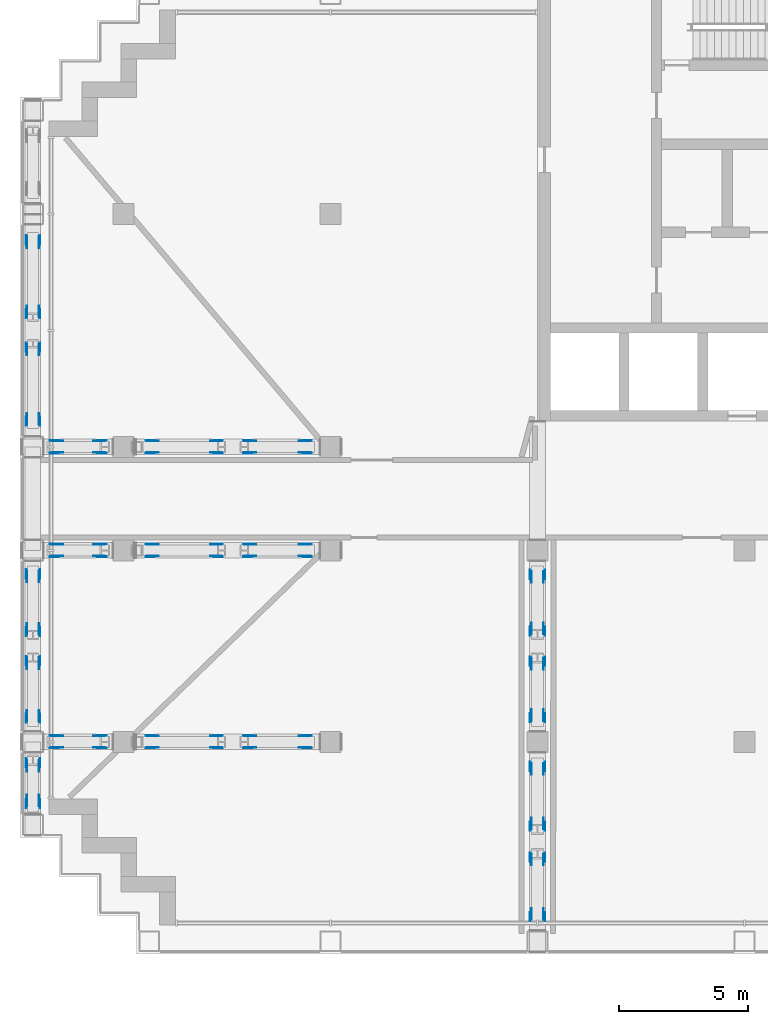
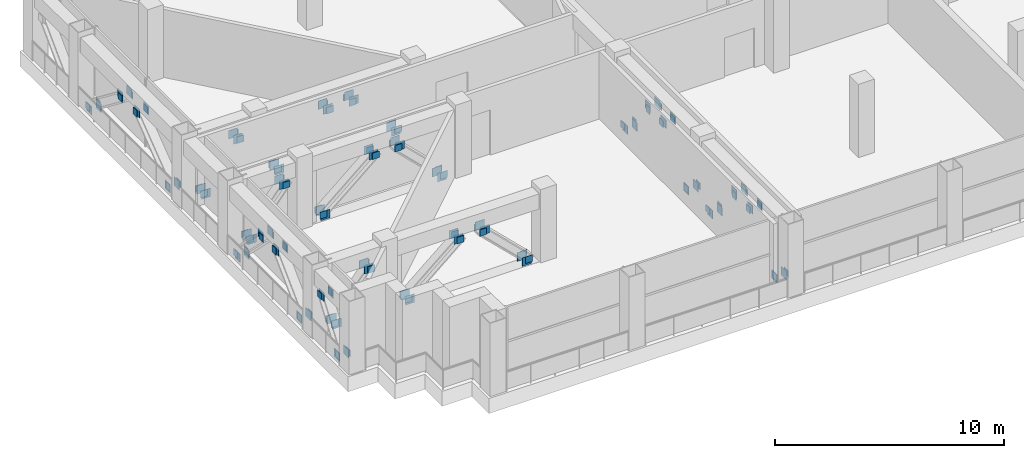
# One storey, part 16 of 25: 144 discrete accessories.
"""IFC4 building model written with IfcOpenShell, lengths in metres."""

from ifc_helpers import new_model, si_unit, direction, frame, origin, origin_2d, place, context, subcontext, project, spatial, rectangle, extrude, element, save


model = new_model("IFC4")

# Units and contexts
model_context = context("Model", 3, precision=1e-05, world=origin(), true_north=direction((0.0, 1.0)))
body_context = subcontext(model_context, "Body", "Model", "MODEL_VIEW")
ifc_project = project(units=[si_unit("LENGTHUNIT", "METRE"), si_unit("AREAUNIT", "SQUARE_METRE"), si_unit("VOLUMEUNIT", "CUBIC_METRE"), si_unit("PLANEANGLEUNIT", "RADIAN"), si_unit("MASSUNIT", "GRAM", prefix="KILO")], contexts=[model_context])

# Site, building, storey
site_placement = place(None, origin())
site = spatial("IfcSite", under=ifc_project, at=site_placement, CompositionType="ELEMENT")
building_placement = place(site_placement, origin())
building = spatial("IfcBuilding", under=site, at=building_placement, Name="Vidyagriha Tower", CompositionType="ELEMENT")
storey_placement = place(building_placement, frame((0.0, 0.0, 115.89990234375)))
storey = spatial("IfcBuildingStorey", under=building, at=storey_placement, Name="L29", CompositionType="ELEMENT", Elevation=115.89990234375)

# Discrete accessories
for number, where, name in (
    (1, (-32.55517578125, -9.17822265625, 0.0), "Truss gusset plate ASTM A572 Grade 50 20mm"),
    (2, (-32.55517578125, -9.621826171875, 0.0), "Truss gusset plate ASTM A572 Grade 50 20mm"),
    (3, (-30.94482421875, -9.17822265625, 2.3701171875), "Truss gusset plate ASTM A572 Grade 50 20mm"),
    (4, (-30.94482421875, -9.621826171875, 2.3701171875), "Truss gusset plate ASTM A572 Grade 50 20mm"),
    (5, (-28.8681640625, -9.17822265625, 0.0), "Truss gusset plate ASTM A572 Grade 50 20mm"),
    (6, (-28.8681640625, -9.621826171875, 0.0), "Truss gusset plate ASTM A572 Grade 50 20mm"),
    (7, (-26.431884765625, -9.17822265625, 2.3701171875), "Truss gusset plate ASTM A572 Grade 50 20mm"),
    (8, (-26.431884765625, -9.621826171875, 2.3701171875), "Truss gusset plate ASTM A572 Grade 50 20mm"),
    (9, (-25.103759765625, -9.17822265625, 2.3701171875), "Truss gusset plate ASTM A572 Grade 50 20mm"),
    (10, (-25.103759765625, -9.621826171875, 2.3701171875), "Truss gusset plate ASTM A572 Grade 50 20mm"),
    (11, (-22.996337890625, -9.17822265625, 0.0), "Truss gusset plate ASTM A572 Grade 50 20mm"),
    (12, (-22.996337890625, -9.621826171875, 0.0), "Truss gusset plate ASTM A572 Grade 50 20mm"),
    (13, (-32.55517578125, -1.778076171875, 0.0), "Truss gusset plate ASTM A572 Grade 50 20mm"),
    (14, (-32.55517578125, -2.221923828125, 0.0), "Truss gusset plate ASTM A572 Grade 50 20mm"),
    (15, (-30.94482421875, -1.778076171875, 2.3701171875), "Truss gusset plate ASTM A572 Grade 50 20mm"),
    (16, (-30.94482421875, -2.221923828125, 2.3701171875), "Truss gusset plate ASTM A572 Grade 50 20mm"),
    (17, (-28.8681640625, -1.778076171875, 0.0), "Truss gusset plate ASTM A572 Grade 50 20mm"),
    (18, (-28.8681640625, -2.221923828125, 0.0), "Truss gusset plate ASTM A572 Grade 50 20mm"),
    (19, (-26.431884765625, -1.778076171875, 2.3701171875), "Truss gusset plate ASTM A572 Grade 50 20mm"),
    (20, (-26.431884765625, -2.221923828125, 2.3701171875), "Truss gusset plate ASTM A572 Grade 50 20mm"),
    (21, (-25.103759765625, -1.778076171875, 2.3701171875), "Truss gusset plate ASTM A572 Grade 50 20mm"),
    (22, (-25.103759765625, -2.221923828125, 2.3701171875), "Truss gusset plate ASTM A572 Grade 50 20mm"),
    (23, (-22.996337890625, -1.778076171875, 0.0), "Truss gusset plate ASTM A572 Grade 50 20mm"),
    (24, (-22.996337890625, -2.221923828125, 0.0), "Truss gusset plate ASTM A572 Grade 50 20mm"),
    (25, (-32.55517578125, 2.221923828125, 0.0), "Truss gusset plate ASTM A572 Grade 50 20mm"),
    (26, (-32.55517578125, 1.778076171875, 0.0), "Truss gusset plate ASTM A572 Grade 50 20mm"),
    (27, (-30.94482421875, 2.221923828125, 2.3701171875), "Truss gusset plate ASTM A572 Grade 50 20mm"),
    (28, (-30.94482421875, 1.778076171875, 2.3701171875), "Truss gusset plate ASTM A572 Grade 50 20mm"),
    (29, (-28.8681640625, 2.221923828125, 0.0), "Truss gusset plate ASTM A572 Grade 50 20mm"),
    (30, (-28.8681640625, 1.778076171875, 0.0), "Truss gusset plate ASTM A572 Grade 50 20mm"),
    (31, (-26.431884765625, 2.221923828125, 2.3701171875), "Truss gusset plate ASTM A572 Grade 50 20mm"),
    (32, (-26.431884765625, 1.778076171875, 2.3701171875), "Truss gusset plate ASTM A572 Grade 50 20mm"),
    (33, (-25.103759765625, 2.221923828125, 2.3701171875), "Truss gusset plate ASTM A572 Grade 50 20mm"),
    (34, (-25.103759765625, 1.778076171875, 2.3701171875), "Truss gusset plate ASTM A572 Grade 50 20mm"),
    (35, (-22.996337890625, 2.221923828125, 0.0), "Truss gusset plate ASTM A572 Grade 50 20mm"),
    (36, (-22.996337890625, 1.778076171875, 0.0), "Truss gusset plate ASTM A572 Grade 50 20mm"),
):
    element("IfcDiscreteAccessory", number, at=place(storey_placement, frame(where)), inside=storey, Name=name, ObjectType="GUSSET PLATE", PredefinedType="USERDEFINED", context=body_context, shape_type="SweptSolid", body=[
        extrude(rectangle(XDim=0.449951171875, YDim=0.02001953125, at=origin_2d()), origin(), (0.0, 0.0, 1.0), 0.449951171875),
    ])
for number, where, z_axis, x_axis, name in (
    (37, (-33.7294921875, -11.669677734375, 0.0), (0.0, 0.0, 1.0), (0.0, 1.0, 0.0), "Truss gusset plate ASTM A572 Grade 50 20mm"),
    (38, (-33.2705078125, -11.669677734375, 0.0), (0.0, 0.0, 1.0), (0.0, 1.0, 0.0), "Truss gusset plate ASTM A572 Grade 50 20mm"),
    (39, (-33.7294921875, -10.330322265625, 2.3701171875), (0.0, 0.0, 1.0), (0.0, 1.0, 0.0), "Truss gusset plate ASTM A572 Grade 50 20mm"),
    (40, (-33.2705078125, -10.330322265625, 2.3701171875), (0.0, 0.0, 1.0), (0.0, 1.0, 0.0), "Truss gusset plate ASTM A572 Grade 50 20mm"),
    (41, (-33.7294921875, -8.390625, 0.0), (0.0, 0.0, 1.0), (0.0, 1.0, 0.0), "Truss gusset plate ASTM A572 Grade 50 20mm"),
    (42, (-33.2705078125, -8.390625, 0.0), (0.0, 0.0, 1.0), (0.0, 1.0, 0.0), "Truss gusset plate ASTM A572 Grade 50 20mm"),
    (43, (-33.7294921875, -6.359375, 2.3701171875), (0.0, 0.0, 1.0), (0.0, 1.0, 0.0), "Truss gusset plate ASTM A572 Grade 50 20mm"),
    (44, (-33.2705078125, -6.359375, 2.3701171875), (0.0, 0.0, 1.0), (0.0, 1.0, 0.0), "Truss gusset plate ASTM A572 Grade 50 20mm"),
    (45, (-33.7294921875, -5.040771484375, 2.3701171875), (0.0, 0.0, 1.0), (0.0, 1.0, 0.0), "Truss gusset plate ASTM A572 Grade 50 20mm"),
    (46, (-33.2705078125, -5.040771484375, 2.3701171875), (0.0, 0.0, 1.0), (0.0, 1.0, 0.0), "Truss gusset plate ASTM A572 Grade 50 20mm"),
    (47, (-33.7294921875, -3.00927734375, 0.0), (0.0, 0.0, 1.0), (0.0, 1.0, 0.0), "Truss gusset plate ASTM A572 Grade 50 20mm"),
    (48, (-33.2705078125, -3.00927734375, 0.0), (0.0, 0.0, 1.0), (0.0, 1.0, 0.0), "Truss gusset plate ASTM A572 Grade 50 20mm"),
    (49, (-33.7294921875, 3.087890625, 0.0), (0.0, 0.0, 1.0), (0.0, 1.0, 0.0), "Truss gusset plate ASTM A572 Grade 50 20mm"),
    (50, (-33.2705078125, 3.087890625, 0.0), (0.0, 0.0, 1.0), (0.0, 1.0, 0.0), "Truss gusset plate ASTM A572 Grade 50 20mm"),
    (51, (-33.7294921875, 5.76220703125, 2.3701171875), (0.0, 0.0, 1.0), (0.0, 1.0, 0.0), "Truss gusset plate ASTM A572 Grade 50 20mm"),
    (52, (-33.2705078125, 5.76220703125, 2.3701171875), (0.0, 0.0, 1.0), (0.0, 1.0, 0.0), "Truss gusset plate ASTM A572 Grade 50 20mm"),
    (53, (-33.7294921875, 7.23779296875, 2.3701171875), (0.0, 0.0, 1.0), (0.0, 1.0, 0.0), "Truss gusset plate ASTM A572 Grade 50 20mm"),
    (54, (-33.2705078125, 7.23779296875, 2.3701171875), (0.0, 0.0, 1.0), (0.0, 1.0, 0.0), "Truss gusset plate ASTM A572 Grade 50 20mm"),
    (55, (-33.7294921875, 9.912109375, 0.0), (0.0, 0.0, 1.0), (0.0, 1.0, 0.0), "Truss gusset plate ASTM A572 Grade 50 20mm"),
    (56, (-33.2705078125, 9.912109375, 0.0), (0.0, 0.0, 1.0), (0.0, 1.0, 0.0), "Truss gusset plate ASTM A572 Grade 50 20mm"),
    (57, (-14.23828125, -16.054443359375, 0.0), (0.0, 0.0, 1.0), (0.0, 1.0, 0.0), "Truss gusset plate ASTM A572 Grade 50 20mm"),
    (58, (-13.76171875, -16.054443359375, 0.0), (0.0, 0.0, 1.0), (0.0, 1.0, 0.0), "Truss gusset plate ASTM A572 Grade 50 20mm"),
    (59, (-14.23828125, -13.945556640625, 2.3701171875), (0.0, 0.0, 1.0), (0.0, 1.0, 0.0), "Truss gusset plate ASTM A572 Grade 50 20mm"),
    (60, (-13.76171875, -13.945556640625, 2.3701171875), (0.0, 0.0, 1.0), (0.0, 1.0, 0.0), "Truss gusset plate ASTM A572 Grade 50 20mm"),
    (61, (-14.23828125, -12.554443359375, 2.3701171875), (0.0, 0.0, 1.0), (0.0, 1.0, 0.0), "Truss gusset plate ASTM A572 Grade 50 20mm"),
    (62, (-13.76171875, -12.554443359375, 2.3701171875), (0.0, 0.0, 1.0), (0.0, 1.0, 0.0), "Truss gusset plate ASTM A572 Grade 50 20mm"),
    (63, (-14.23828125, -10.445556640625, 0.0), (0.0, 0.0, 1.0), (0.0, 1.0, 0.0), "Truss gusset plate ASTM A572 Grade 50 20mm"),
    (64, (-13.76171875, -10.445556640625, 0.0), (0.0, 0.0, 1.0), (0.0, 1.0, 0.0), "Truss gusset plate ASTM A572 Grade 50 20mm"),
    (65, (-14.23828125, -8.37060546875, 0.0), (0.0, 0.0, 1.0), (0.0, 1.0, 0.0), "Truss gusset plate ASTM A572 Grade 50 20mm"),
    (66, (-13.76171875, -8.37060546875, 0.0), (0.0, 0.0, 1.0), (0.0, 1.0, 0.0), "Truss gusset plate ASTM A572 Grade 50 20mm"),
    (67, (-14.23828125, -6.37939453125, 2.3701171875), (0.0, 0.0, 1.0), (0.0, 1.0, 0.0), "Truss gusset plate ASTM A572 Grade 50 20mm"),
    (68, (-13.76171875, -6.37939453125, 2.3701171875), (0.0, 0.0, 1.0), (0.0, 1.0, 0.0), "Truss gusset plate ASTM A572 Grade 50 20mm"),
    (69, (-14.23828125, -5.0205078125, 2.3701171875), (0.0, 0.0, 1.0), (0.0, 1.0, 0.0), "Truss gusset plate ASTM A572 Grade 50 20mm"),
    (70, (-13.76171875, -5.0205078125, 2.3701171875), (0.0, 0.0, 1.0), (0.0, 1.0, 0.0), "Truss gusset plate ASTM A572 Grade 50 20mm"),
    (71, (-14.23828125, -3.029296875, 0.0), (0.0, 0.0, 1.0), (0.0, 1.0, 0.0), "Truss gusset plate ASTM A572 Grade 50 20mm"),
    (72, (-13.76171875, -3.029296875, 0.0), (0.0, 0.0, 1.0), (0.0, 1.0, 0.0), "Truss gusset plate ASTM A572 Grade 50 20mm"),
):
    element("IfcDiscreteAccessory", number, at=place(storey_placement, frame(where, z_axis=z_axis, x_axis=x_axis)), inside=storey, Name=name, ObjectType="GUSSET PLATE", PredefinedType="USERDEFINED", context=body_context, shape_type="SweptSolid", body=[
        extrude(rectangle(XDim=0.449951171875, YDim=0.02001953125, at=origin_2d()), origin(), (0.0, 0.0, 1.0), 0.449951171875),
    ])
for number, where, z_axis, x_axis, name in (
    (73, (-32.669677734375, -9.642333984375, 0.107666015625), (0.0, 0.0, 1.0), (-1.0, 0.0, 0.0), "End plate ASTM A572 Grade 50 20mm"),
    (74, (-32.669677734375, -9.15771484375, 0.107666015625), (0.0, 0.0, 1.0), (-1.0, 0.0, 0.0), "End plate ASTM A572 Grade 50 20mm"),
):
    element("IfcDiscreteAccessory", number, at=place(storey_placement, frame(where, z_axis=z_axis, x_axis=x_axis)), inside=storey, Name=name, ObjectType="END PLATE", PredefinedType="USERDEFINED", context=body_context, shape_type="SweptSolid", body=[
        extrude(rectangle(XDim=0.35009765625, YDim=0.02001953125, at=origin_2d()), origin(), (0.0, 0.0, 1.0), 0.35009765625),
    ])
for number, where, name in (
    (75, (-30.830322265625, -9.15771484375, 2.362548828125), "End plate ASTM A572 Grade 50 20mm"),
    (76, (-30.830322265625, -9.642333984375, 2.362548828125), "End plate ASTM A572 Grade 50 20mm"),
):
    element("IfcDiscreteAccessory", number, at=place(storey_placement, frame(where)), inside=storey, Name=name, ObjectType="END PLATE", PredefinedType="USERDEFINED", context=body_context, shape_type="SweptSolid", body=[
        extrude(rectangle(XDim=0.35009765625, YDim=0.02001953125, at=origin_2d()), origin(), (0.0, 0.0, 1.0), 0.35009765625),
    ])
for number, where, z_axis, x_axis, name in (
    (77, (-28.960205078125, -9.642333984375, 0.115478515625), (0.0, 0.0, 1.0), (-1.0, 0.0, 0.0), "End plate ASTM A572 Grade 50 20mm"),
    (78, (-28.960205078125, -9.15771484375, 0.115478515625), (0.0, 0.0, 1.0), (-1.0, 0.0, 0.0), "End plate ASTM A572 Grade 50 20mm"),
):
    element("IfcDiscreteAccessory", number, at=place(storey_placement, frame(where, z_axis=z_axis, x_axis=x_axis)), inside=storey, Name=name, ObjectType="END PLATE", PredefinedType="USERDEFINED", context=body_context, shape_type="SweptSolid", body=[
        extrude(rectangle(XDim=0.35009765625, YDim=0.02001953125, at=origin_2d()), origin(), (0.0, 0.0, 1.0), 0.35009765625),
    ])
for number, where, name in (
    (79, (-26.33984375, -9.15771484375, 2.354736328125), "End plate ASTM A572 Grade 50 20mm"),
    (80, (-26.33984375, -9.642333984375, 2.354736328125), "End plate ASTM A572 Grade 50 20mm"),
):
    element("IfcDiscreteAccessory", number, at=place(storey_placement, frame(where)), inside=storey, Name=name, ObjectType="END PLATE", PredefinedType="USERDEFINED", context=body_context, shape_type="SweptSolid", body=[
        extrude(rectangle(XDim=0.35009765625, YDim=0.02001953125, at=origin_2d()), origin(), (0.0, 0.0, 1.0), 0.35009765625),
    ])
for number, where, z_axis, x_axis, name in (
    (81, (-25.203125, -9.642333984375, 2.3564453125), (0.0, 0.0, 1.0), (-1.0, 0.0, 0.0), "End plate ASTM A572 Grade 50 20mm"),
    (82, (-25.203125, -9.15771484375, 2.3564453125), (0.0, 0.0, 1.0), (-1.0, 0.0, 0.0), "End plate ASTM A572 Grade 50 20mm"),
):
    element("IfcDiscreteAccessory", number, at=place(storey_placement, frame(where, z_axis=z_axis, x_axis=x_axis)), inside=storey, Name=name, ObjectType="END PLATE", PredefinedType="USERDEFINED", context=body_context, shape_type="SweptSolid", body=[
        extrude(rectangle(XDim=0.35009765625, YDim=0.02001953125, at=origin_2d()), origin(), (0.0, 0.0, 1.0), 0.35009765625),
    ])
for number, where, name in (
    (83, (-22.896728515625, -9.15771484375, 0.11376953125), "End plate ASTM A572 Grade 50 20mm"),
    (84, (-22.896728515625, -9.642333984375, 0.11376953125), "End plate ASTM A572 Grade 50 20mm"),
):
    element("IfcDiscreteAccessory", number, at=place(storey_placement, frame(where)), inside=storey, Name=name, ObjectType="END PLATE", PredefinedType="USERDEFINED", context=body_context, shape_type="SweptSolid", body=[
        extrude(rectangle(XDim=0.35009765625, YDim=0.02001953125, at=origin_2d()), origin(), (0.0, 0.0, 1.0), 0.35009765625),
    ])
for number, where, z_axis, x_axis, name in (
    (85, (-32.669677734375, -2.242431640625, 0.107666015625), (0.0, 0.0, 1.0), (-1.0, 0.0, 0.0), "End plate ASTM A572 Grade 50 20mm"),
    (86, (-32.669677734375, -1.757568359375, 0.107666015625), (0.0, 0.0, 1.0), (-1.0, 0.0, 0.0), "End plate ASTM A572 Grade 50 20mm"),
):
    element("IfcDiscreteAccessory", number, at=place(storey_placement, frame(where, z_axis=z_axis, x_axis=x_axis)), inside=storey, Name=name, ObjectType="END PLATE", PredefinedType="USERDEFINED", context=body_context, shape_type="SweptSolid", body=[
        extrude(rectangle(XDim=0.35009765625, YDim=0.02001953125, at=origin_2d()), origin(), (0.0, 0.0, 1.0), 0.35009765625),
    ])
for number, where, name in (
    (87, (-30.830322265625, -1.757568359375, 2.362548828125), "End plate ASTM A572 Grade 50 20mm"),
    (88, (-30.830322265625, -2.242431640625, 2.362548828125), "End plate ASTM A572 Grade 50 20mm"),
):
    element("IfcDiscreteAccessory", number, at=place(storey_placement, frame(where)), inside=storey, Name=name, ObjectType="END PLATE", PredefinedType="USERDEFINED", context=body_context, shape_type="SweptSolid", body=[
        extrude(rectangle(XDim=0.35009765625, YDim=0.02001953125, at=origin_2d()), origin(), (0.0, 0.0, 1.0), 0.35009765625),
    ])
for number, where, z_axis, x_axis, name in (
    (89, (-28.960205078125, -2.242431640625, 0.115478515625), (0.0, 0.0, 1.0), (-1.0, 0.0, 0.0), "End plate ASTM A572 Grade 50 20mm"),
    (90, (-28.960205078125, -1.757568359375, 0.115478515625), (0.0, 0.0, 1.0), (-1.0, 0.0, 0.0), "End plate ASTM A572 Grade 50 20mm"),
):
    element("IfcDiscreteAccessory", number, at=place(storey_placement, frame(where, z_axis=z_axis, x_axis=x_axis)), inside=storey, Name=name, ObjectType="END PLATE", PredefinedType="USERDEFINED", context=body_context, shape_type="SweptSolid", body=[
        extrude(rectangle(XDim=0.35009765625, YDim=0.02001953125, at=origin_2d()), origin(), (0.0, 0.0, 1.0), 0.35009765625),
    ])
for number, where, name in (
    (91, (-26.33984375, -1.757568359375, 2.354736328125), "End plate ASTM A572 Grade 50 20mm"),
    (92, (-26.33984375, -2.242431640625, 2.354736328125), "End plate ASTM A572 Grade 50 20mm"),
):
    element("IfcDiscreteAccessory", number, at=place(storey_placement, frame(where)), inside=storey, Name=name, ObjectType="END PLATE", PredefinedType="USERDEFINED", context=body_context, shape_type="SweptSolid", body=[
        extrude(rectangle(XDim=0.35009765625, YDim=0.02001953125, at=origin_2d()), origin(), (0.0, 0.0, 1.0), 0.35009765625),
    ])
for number, where, z_axis, x_axis, name in (
    (93, (-25.203125, -2.242431640625, 2.3564453125), (0.0, 0.0, 1.0), (-1.0, 0.0, 0.0), "End plate ASTM A572 Grade 50 20mm"),
    (94, (-25.203125, -1.757568359375, 2.3564453125), (0.0, 0.0, 1.0), (-1.0, 0.0, 0.0), "End plate ASTM A572 Grade 50 20mm"),
):
    element("IfcDiscreteAccessory", number, at=place(storey_placement, frame(where, z_axis=z_axis, x_axis=x_axis)), inside=storey, Name=name, ObjectType="END PLATE", PredefinedType="USERDEFINED", context=body_context, shape_type="SweptSolid", body=[
        extrude(rectangle(XDim=0.35009765625, YDim=0.02001953125, at=origin_2d()), origin(), (0.0, 0.0, 1.0), 0.35009765625),
    ])
for number, where, name in (
    (95, (-22.896728515625, -1.757568359375, 0.11376953125), "End plate ASTM A572 Grade 50 20mm"),
    (96, (-22.896728515625, -2.242431640625, 0.11376953125), "End plate ASTM A572 Grade 50 20mm"),
):
    element("IfcDiscreteAccessory", number, at=place(storey_placement, frame(where)), inside=storey, Name=name, ObjectType="END PLATE", PredefinedType="USERDEFINED", context=body_context, shape_type="SweptSolid", body=[
        extrude(rectangle(XDim=0.35009765625, YDim=0.02001953125, at=origin_2d()), origin(), (0.0, 0.0, 1.0), 0.35009765625),
    ])
for number, where, z_axis, x_axis, name in (
    (97, (-32.669677734375, 1.757568359375, 0.107666015625), (0.0, 0.0, 1.0), (-1.0, 0.0, 0.0), "End plate ASTM A572 Grade 50 20mm"),
    (98, (-32.669677734375, 2.242431640625, 0.107666015625), (0.0, 0.0, 1.0), (-1.0, 0.0, 0.0), "End plate ASTM A572 Grade 50 20mm"),
):
    element("IfcDiscreteAccessory", number, at=place(storey_placement, frame(where, z_axis=z_axis, x_axis=x_axis)), inside=storey, Name=name, ObjectType="END PLATE", PredefinedType="USERDEFINED", context=body_context, shape_type="SweptSolid", body=[
        extrude(rectangle(XDim=0.35009765625, YDim=0.02001953125, at=origin_2d()), origin(), (0.0, 0.0, 1.0), 0.35009765625),
    ])
for number, where, name in (
    (99, (-30.830322265625, 2.242431640625, 2.362548828125), "End plate ASTM A572 Grade 50 20mm"),
    (100, (-30.830322265625, 1.757568359375, 2.362548828125), "End plate ASTM A572 Grade 50 20mm"),
):
    element("IfcDiscreteAccessory", number, at=place(storey_placement, frame(where)), inside=storey, Name=name, ObjectType="END PLATE", PredefinedType="USERDEFINED", context=body_context, shape_type="SweptSolid", body=[
        extrude(rectangle(XDim=0.35009765625, YDim=0.02001953125, at=origin_2d()), origin(), (0.0, 0.0, 1.0), 0.35009765625),
    ])
for number, where, z_axis, x_axis, name in (
    (101, (-28.960205078125, 1.757568359375, 0.115478515625), (0.0, 0.0, 1.0), (-1.0, 0.0, 0.0), "End plate ASTM A572 Grade 50 20mm"),
    (102, (-28.960205078125, 2.242431640625, 0.115478515625), (0.0, 0.0, 1.0), (-1.0, 0.0, 0.0), "End plate ASTM A572 Grade 50 20mm"),
):
    element("IfcDiscreteAccessory", number, at=place(storey_placement, frame(where, z_axis=z_axis, x_axis=x_axis)), inside=storey, Name=name, ObjectType="END PLATE", PredefinedType="USERDEFINED", context=body_context, shape_type="SweptSolid", body=[
        extrude(rectangle(XDim=0.35009765625, YDim=0.02001953125, at=origin_2d()), origin(), (0.0, 0.0, 1.0), 0.35009765625),
    ])
for number, where, name in (
    (103, (-26.33984375, 2.242431640625, 2.354736328125), "End plate ASTM A572 Grade 50 20mm"),
    (104, (-26.33984375, 1.757568359375, 2.354736328125), "End plate ASTM A572 Grade 50 20mm"),
):
    element("IfcDiscreteAccessory", number, at=place(storey_placement, frame(where)), inside=storey, Name=name, ObjectType="END PLATE", PredefinedType="USERDEFINED", context=body_context, shape_type="SweptSolid", body=[
        extrude(rectangle(XDim=0.35009765625, YDim=0.02001953125, at=origin_2d()), origin(), (0.0, 0.0, 1.0), 0.35009765625),
    ])
for number, where, z_axis, x_axis, name in (
    (105, (-25.203125, 1.757568359375, 2.3564453125), (0.0, 0.0, 1.0), (-1.0, 0.0, 0.0), "End plate ASTM A572 Grade 50 20mm"),
    (106, (-25.203125, 2.242431640625, 2.3564453125), (0.0, 0.0, 1.0), (-1.0, 0.0, 0.0), "End plate ASTM A572 Grade 50 20mm"),
):
    element("IfcDiscreteAccessory", number, at=place(storey_placement, frame(where, z_axis=z_axis, x_axis=x_axis)), inside=storey, Name=name, ObjectType="END PLATE", PredefinedType="USERDEFINED", context=body_context, shape_type="SweptSolid", body=[
        extrude(rectangle(XDim=0.35009765625, YDim=0.02001953125, at=origin_2d()), origin(), (0.0, 0.0, 1.0), 0.35009765625),
    ])
for number, where, name in (
    (107, (-22.896728515625, 2.242431640625, 0.11376953125), "End plate ASTM A572 Grade 50 20mm"),
    (108, (-22.896728515625, 1.757568359375, 0.11376953125), "End plate ASTM A572 Grade 50 20mm"),
):
    element("IfcDiscreteAccessory", number, at=place(storey_placement, frame(where)), inside=storey, Name=name, ObjectType="END PLATE", PredefinedType="USERDEFINED", context=body_context, shape_type="SweptSolid", body=[
        extrude(rectangle(XDim=0.35009765625, YDim=0.02001953125, at=origin_2d()), origin(), (0.0, 0.0, 1.0), 0.35009765625),
    ])
for number, where, z_axis, x_axis, name in (
    (109, (-33.2333984375, -11.79345703125, 0.1162109375), (0.0, 0.0, 1.0), (0.0, -1.0, 0.0), "End plate ASTM A572 Grade 50 20mm"),
    (110, (-33.7666015625, -11.79345703125, 0.1162109375), (0.0, 0.0, 1.0), (0.0, -1.0, 0.0), "End plate ASTM A572 Grade 50 20mm"),
    (111, (-33.7666015625, -10.20654296875, 2.353759765625), (0.0, 0.0, 1.0), (0.0, 1.0, 0.0), "End plate ASTM A572 Grade 50 20mm"),
    (112, (-33.2333984375, -10.20654296875, 2.353759765625), (0.0, 0.0, 1.0), (0.0, 1.0, 0.0), "End plate ASTM A572 Grade 50 20mm"),
    (113, (-33.2333984375, -8.4912109375, 0.13037109375), (0.0, 0.0, 1.0), (0.0, -1.0, 0.0), "End plate ASTM A572 Grade 50 20mm"),
    (114, (-33.7666015625, -8.4912109375, 0.13037109375), (0.0, 0.0, 1.0), (0.0, -1.0, 0.0), "End plate ASTM A572 Grade 50 20mm"),
    (115, (-33.7666015625, -6.2587890625, 2.339599609375), (0.0, 0.0, 1.0), (0.0, 1.0, 0.0), "End plate ASTM A572 Grade 50 20mm"),
    (116, (-33.2333984375, -6.2587890625, 2.339599609375), (0.0, 0.0, 1.0), (0.0, 1.0, 0.0), "End plate ASTM A572 Grade 50 20mm"),
    (117, (-33.2333984375, -5.141357421875, 2.339599609375), (0.0, 0.0, 1.0), (0.0, -1.0, 0.0), "End plate ASTM A572 Grade 50 20mm"),
    (118, (-33.7666015625, -5.141357421875, 2.339599609375), (0.0, 0.0, 1.0), (0.0, -1.0, 0.0), "End plate ASTM A572 Grade 50 20mm"),
    (119, (-33.7666015625, -2.90869140625, 0.13037109375), (0.0, 0.0, 1.0), (0.0, 1.0, 0.0), "End plate ASTM A572 Grade 50 20mm"),
    (120, (-33.2333984375, -2.90869140625, 0.13037109375), (0.0, 0.0, 1.0), (0.0, 1.0, 0.0), "End plate ASTM A572 Grade 50 20mm"),
    (121, (-33.2333984375, 3.001220703125, 0.135009765625), (0.0, 0.0, 1.0), (0.0, -1.0, 0.0), "End plate ASTM A572 Grade 50 20mm"),
    (122, (-33.7666015625, 3.001220703125, 0.135009765625), (0.0, 0.0, 1.0), (0.0, -1.0, 0.0), "End plate ASTM A572 Grade 50 20mm"),
    (123, (-33.7666015625, 5.8486328125, 2.3349609375), (0.0, 0.0, 1.0), (0.0, 1.0, 0.0), "End plate ASTM A572 Grade 50 20mm"),
    (124, (-33.2333984375, 5.8486328125, 2.3349609375), (0.0, 0.0, 1.0), (0.0, 1.0, 0.0), "End plate ASTM A572 Grade 50 20mm"),
    (125, (-33.2333984375, 7.1513671875, 2.3349609375), (0.0, 0.0, 1.0), (0.0, -1.0, 0.0), "End plate ASTM A572 Grade 50 20mm"),
    (126, (-33.7666015625, 7.1513671875, 2.3349609375), (0.0, 0.0, 1.0), (0.0, -1.0, 0.0), "End plate ASTM A572 Grade 50 20mm"),
    (127, (-33.7666015625, 9.998779296875, 0.135009765625), (0.0, 0.0, 1.0), (0.0, 1.0, 0.0), "End plate ASTM A572 Grade 50 20mm"),
    (128, (-33.2333984375, 9.998779296875, 0.135009765625), (0.0, 0.0, 1.0), (0.0, 1.0, 0.0), "End plate ASTM A572 Grade 50 20mm"),
    (129, (-13.70556640625, -16.152099609375, 0.152099609375), (0.0, 0.0, 1.0), (0.0, -1.0, 0.0), "End plate ASTM A572 Grade 50 20mm"),
    (130, (-14.29443359375, -16.152099609375, 0.152099609375), (0.0, 0.0, 1.0), (0.0, -1.0, 0.0), "End plate ASTM A572 Grade 50 20mm"),
    (131, (-14.29443359375, -13.847900390625, 2.31787109375), (0.0, 0.0, 1.0), (0.0, 1.0, 0.0), "End plate ASTM A572 Grade 50 20mm"),
    (132, (-13.70556640625, -13.847900390625, 2.31787109375), (0.0, 0.0, 1.0), (0.0, 1.0, 0.0), "End plate ASTM A572 Grade 50 20mm"),
    (133, (-13.70556640625, -12.652099609375, 2.31787109375), (0.0, 0.0, 1.0), (0.0, -1.0, 0.0), "End plate ASTM A572 Grade 50 20mm"),
    (134, (-14.29443359375, -12.652099609375, 2.31787109375), (0.0, 0.0, 1.0), (0.0, -1.0, 0.0), "End plate ASTM A572 Grade 50 20mm"),
    (135, (-14.29443359375, -10.347900390625, 0.152099609375), (0.0, 0.0, 1.0), (0.0, 1.0, 0.0), "End plate ASTM A572 Grade 50 20mm"),
    (136, (-13.70556640625, -10.347900390625, 0.152099609375), (0.0, 0.0, 1.0), (0.0, 1.0, 0.0), "End plate ASTM A572 Grade 50 20mm"),
    (137, (-13.70556640625, -8.47119140625, 0.150390625), (0.0, 0.0, 1.0), (0.0, -1.0, 0.0), "End plate ASTM A572 Grade 50 20mm"),
    (138, (-14.29443359375, -8.47119140625, 0.150390625), (0.0, 0.0, 1.0), (0.0, -1.0, 0.0), "End plate ASTM A572 Grade 50 20mm"),
    (139, (-14.29443359375, -6.27880859375, 2.31982421875), (0.0, 0.0, 1.0), (0.0, 1.0, 0.0), "End plate ASTM A572 Grade 50 20mm"),
    (140, (-13.70556640625, -6.27880859375, 2.31982421875), (0.0, 0.0, 1.0), (0.0, 1.0, 0.0), "End plate ASTM A572 Grade 50 20mm"),
    (141, (-13.70556640625, -5.12109375, 2.31982421875), (0.0, 0.0, 1.0), (0.0, -1.0, 0.0), "End plate ASTM A572 Grade 50 20mm"),
    (142, (-14.29443359375, -5.12109375, 2.31982421875), (0.0, 0.0, 1.0), (0.0, -1.0, 0.0), "End plate ASTM A572 Grade 50 20mm"),
    (143, (-14.29443359375, -2.9287109375, 0.150390625), (0.0, 0.0, 1.0), (0.0, 1.0, 0.0), "End plate ASTM A572 Grade 50 20mm"),
    (144, (-13.70556640625, -2.9287109375, 0.150390625), (0.0, 0.0, 1.0), (0.0, 1.0, 0.0), "End plate ASTM A572 Grade 50 20mm"),
):
    element("IfcDiscreteAccessory", number, at=place(storey_placement, frame(where, z_axis=z_axis, x_axis=x_axis)), inside=storey, Name=name, ObjectType="END PLATE", PredefinedType="USERDEFINED", context=body_context, shape_type="SweptSolid", body=[
        extrude(rectangle(XDim=0.35009765625, YDim=0.02001953125, at=origin_2d()), origin(), (0.0, 0.0, 1.0), 0.35009765625),
    ])

save(model, "model.ifc")
